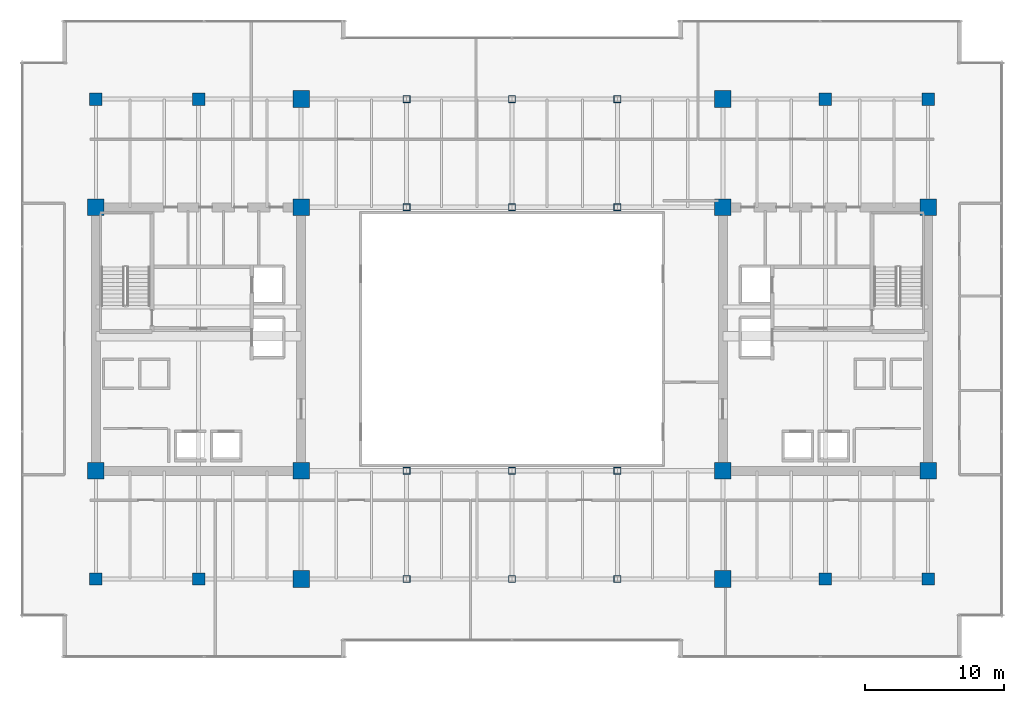
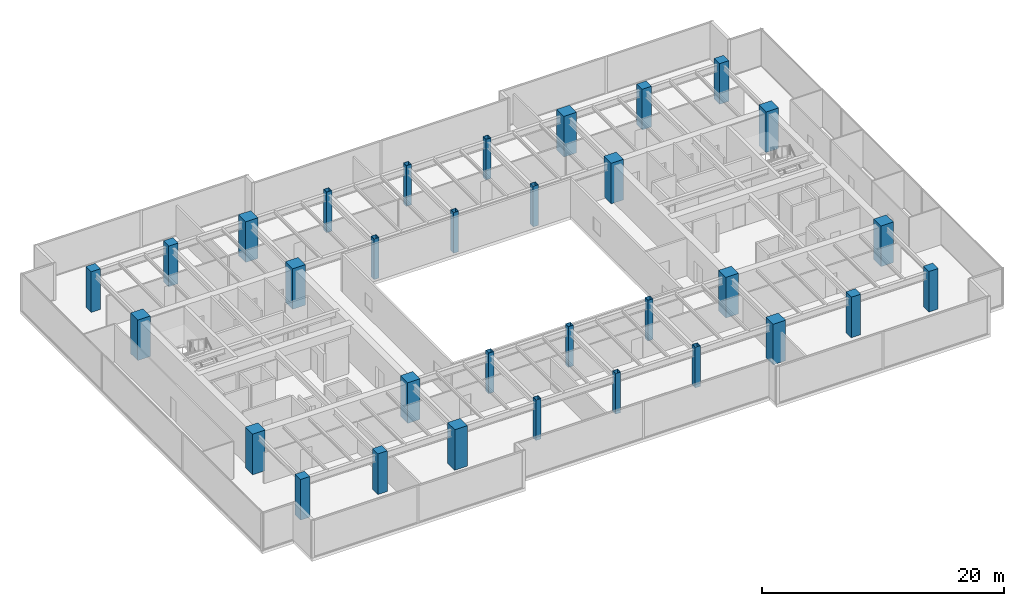
# One storey, part 1 of 30: 32 columns.
"""IFC4 building model written with IfcOpenShell, lengths in metres."""

from ifc_helpers import new_model, si_unit, direction, frame, origin, origin_2d, place, context, subcontext, project, spatial, rectangle, hollow_rectangle, extrude, source, transform, mapped, material, material_profile, profile_set, type_object, type_shapes, element, save


model = new_model("IFC4")

# Units and contexts
model_context = context("Model", 3, precision=1e-05, world=origin(), true_north=direction((0.0, 1.0)))
body_context = subcontext(model_context, "Body", "Model", "MODEL_VIEW")
ifc_project = project(units=[si_unit("LENGTHUNIT", "METRE"), si_unit("AREAUNIT", "SQUARE_METRE"), si_unit("VOLUMEUNIT", "CUBIC_METRE"), si_unit("PLANEANGLEUNIT", "RADIAN"), si_unit("MASSUNIT", "GRAM", prefix="KILO")], contexts=[model_context])

# Site, building, storey
site_placement = place(None, origin())
site = spatial("IfcSite", under=ifc_project, at=site_placement, CompositionType="ELEMENT")
building_placement = place(site_placement, origin())
building = spatial("IfcBuilding", under=site, at=building_placement, Name="Haelvirn Gate Laboratories", CompositionType="ELEMENT")
storey_placement = place(building_placement, frame((0.0, 0.0, 121.5)))
storey = spatial("IfcBuildingStorey", under=building, at=storey_placement, Name="L29", CompositionType="ELEMENT", Elevation=121.5)

# Columns
ifc_material_1 = material(Name="Concrete C50/60", Category="concrete")
ifc_material_profile_1 = material_profile(ifc_material_1, rectangle(XDim=0.89990234375, YDim=0.89990234375, at=origin_2d()), Name="RC-900x900")
ifc_profile_set_1 = profile_set([ifc_material_profile_1], Name="Concrete C50/60")
column_type_1 = type_object("IfcColumnType", Name="COL-RC-900", PredefinedType="COLUMN", material=ifc_profile_set_1)
shared_shape_1 = source(origin(), body_context, "Body", "SweptSolid", [
    extrude(rectangle(XDim=0.89990234375, YDim=0.89990234375, at=origin_2d()), origin(), (0.0, 0.0, 1.0), 4.10009765625),
])
type_shapes(column_type_1, [shared_shape_1])
for number, where, z_axis, x_axis, name in (
    (1, (14.800048828125, 7.0, 0.0), (0.0, 0.0, 1.0), (1.0, 0.0, 0.0), "L29 Column 3B"),
    (2, (14.800048828125, 41.60009765625, 0.0), (0.0, 0.0, 1.0), (1.0, 0.0, 0.0), "L29 Column 3G"),
    (3, (60.0, 7.0, 0.0), (0.0, 0.0, 1.0), (1.0, 0.0, 0.0), "L29 Column 9B"),
    (4, (60.0, 41.60009765625, 0.0), (0.0, 0.0, 1.0), (1.0, 0.0, 0.0), "L29 Column 9G"),
    (5, (7.39990234375, 7.0, 0.0), (0.0, 0.0, 1.0), (1.0, 0.0, 0.0), "L29 Column 2B"),
    (6, (7.39990234375, 41.60009765625, 0.0), (0.0, 0.0, 1.0), (1.0, 0.0, 0.0), "L29 Column 2G"),
    (7, (67.39990234375, 7.0, 0.0), (0.0, 0.0, 1.0), (1.0, 0.0, 0.0), "L29 Column 10B"),
    (8, (67.39990234375, 41.60009765625, 0.0), (0.0, 0.0, 1.0), (1.0, 0.0, 0.0), "L29 Column 10G"),
):
    element("IfcColumn", number, at=place(storey_placement, frame(where, z_axis=z_axis, x_axis=x_axis)), inside=storey, type_object=column_type_1, Name=name, PredefinedType="COLUMN", context=body_context, shape_type="MappedRepresentation", body=[
        mapped(shared_shape_1, transform((0.0, 0.0, 0.0), scale=1.0)),
    ])
ifc_material_2 = material(Name="Concrete C60/75", Category="concrete")
ifc_material_profile_2 = material_profile(ifc_material_2, rectangle(XDim=1.199951171875, YDim=1.199951171875, at=origin_2d()), Name="SRC-1200x1200")
ifc_profile_set_2 = profile_set([ifc_material_profile_2], Name="Concrete C60/75")
column_type_2 = type_object("IfcColumnType", Name="COL-SRC-1200", PredefinedType="COLUMN", material=ifc_profile_set_2)
shared_shape_2 = source(origin(), body_context, "Body", "SweptSolid", [
    extrude(rectangle(XDim=1.199951171875, YDim=1.199951171875, at=origin_2d()), origin(), (0.0, 0.0, 1.0), 4.10009765625),
])
type_shapes(column_type_2, [shared_shape_2])
for number, where, z_axis, x_axis, name in (
    (9, (22.199951171875, 7.0, 0.0), (0.0, 0.0, 1.0), (1.0, 0.0, 0.0), "L29 Column 4B"),
    (10, (7.39990234375, 14.800048828125, 0.0), (0.0, 0.0, 1.0), (1.0, 0.0, 0.0), "L29 Column 2C"),
    (11, (22.199951171875, 14.800048828125, 0.0), (0.0, 0.0, 1.0), (1.0, 0.0, 0.0), "L29 Column 4C"),
    (12, (7.39990234375, 33.800048828125, 0.0), (0.0, 0.0, 1.0), (1.0, 0.0, 0.0), "L29 Column 2F"),
    (13, (22.199951171875, 33.800048828125, 0.0), (0.0, 0.0, 1.0), (1.0, 0.0, 0.0), "L29 Column 4F"),
    (14, (22.199951171875, 41.60009765625, 0.0), (0.0, 0.0, 1.0), (1.0, 0.0, 0.0), "L29 Column 4G"),
    (15, (52.60009765625, 7.0, 0.0), (0.0, 0.0, 1.0), (1.0, 0.0, 0.0), "L29 Column 8B"),
    (16, (52.60009765625, 14.800048828125, 0.0), (0.0, 0.0, 1.0), (1.0, 0.0, 0.0), "L29 Column 8C"),
    (17, (67.39990234375, 14.800048828125, 0.0), (0.0, 0.0, 1.0), (1.0, 0.0, 0.0), "L29 Column 10C"),
    (18, (52.60009765625, 33.800048828125, 0.0), (0.0, 0.0, 1.0), (1.0, 0.0, 0.0), "L29 Column 8F"),
    (19, (67.39990234375, 33.800048828125, 0.0), (0.0, 0.0, 1.0), (1.0, 0.0, 0.0), "L29 Column 10F"),
    (20, (52.60009765625, 41.60009765625, 0.0), (0.0, 0.0, 1.0), (1.0, 0.0, 0.0), "L29 Column 8G"),
):
    element("IfcColumn", number, at=place(storey_placement, frame(where, z_axis=z_axis, x_axis=x_axis)), inside=storey, type_object=column_type_2, Name=name, PredefinedType="COLUMN", context=body_context, shape_type="MappedRepresentation", body=[
        mapped(shared_shape_2, transform((0.0, 0.0, 0.0), scale=1.0)),
    ])
ifc_material_3 = material(Name="Steel SM355", Category="steel")
ifc_material_profile_3 = material_profile(ifc_material_3, hollow_rectangle(XDim=0.5, YDim=0.5, WallThickness=0.02197265625, at=origin_2d()), Name="BOX-500x500x22")
ifc_profile_set_3 = profile_set([ifc_material_profile_3], Name="Steel SM355")
column_type_3 = type_object("IfcColumnType", Name="COL-BOX-500", PredefinedType="COLUMN", material=ifc_profile_set_3)
shared_shape_3 = source(origin(), body_context, "Body", "SweptSolid", [
    extrude(hollow_rectangle(XDim=0.5, YDim=0.5, WallThickness=0.02197265625, at=origin_2d()), origin(), (0.0, 0.0, 1.0), 4.10009765625),
])
type_shapes(column_type_3, [shared_shape_3])
for number, where, z_axis, x_axis, name in (
    (21, (29.800048828125, 7.0, 0.0), (0.0, 0.0, 1.0), (1.0, 0.0, 0.0), "L29 Column 5B"),
    (22, (29.800048828125, 14.800048828125, 0.0), (0.0, 0.0, 1.0), (1.0, 0.0, 0.0), "L29 Column 5C"),
    (23, (29.800048828125, 33.800048828125, 0.0), (0.0, 0.0, 1.0), (1.0, 0.0, 0.0), "L29 Column 5F"),
    (24, (29.800048828125, 41.60009765625, 0.0), (0.0, 0.0, 1.0), (1.0, 0.0, 0.0), "L29 Column 5G"),
    (25, (37.39990234375, 7.0, 0.0), (0.0, 0.0, 1.0), (1.0, 0.0, 0.0), "L29 Column 6B"),
    (26, (37.39990234375, 14.800048828125, 0.0), (0.0, 0.0, 1.0), (1.0, 0.0, 0.0), "L29 Column 6C"),
    (27, (37.39990234375, 33.800048828125, 0.0), (0.0, 0.0, 1.0), (1.0, 0.0, 0.0), "L29 Column 6F"),
    (28, (37.39990234375, 41.60009765625, 0.0), (0.0, 0.0, 1.0), (1.0, 0.0, 0.0), "L29 Column 6G"),
    (29, (45.0, 7.0, 0.0), (0.0, 0.0, 1.0), (1.0, 0.0, 0.0), "L29 Column 7B"),
    (30, (45.0, 14.800048828125, 0.0), (0.0, 0.0, 1.0), (1.0, 0.0, 0.0), "L29 Column 7C"),
    (31, (45.0, 33.800048828125, 0.0), (0.0, 0.0, 1.0), (1.0, 0.0, 0.0), "L29 Column 7F"),
    (32, (45.0, 41.60009765625, 0.0), (0.0, 0.0, 1.0), (1.0, 0.0, 0.0), "L29 Column 7G"),
):
    element("IfcColumn", number, at=place(storey_placement, frame(where, z_axis=z_axis, x_axis=x_axis)), inside=storey, type_object=column_type_3, Name=name, PredefinedType="COLUMN", context=body_context, shape_type="MappedRepresentation", body=[
        mapped(shared_shape_3, transform((0.0, 0.0, 0.0), scale=1.0)),
    ])

save(model, "model.ifc")
